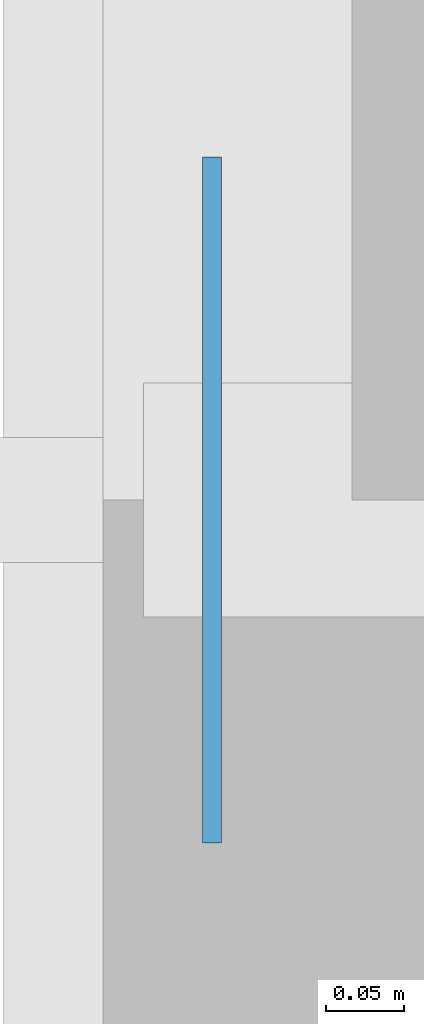
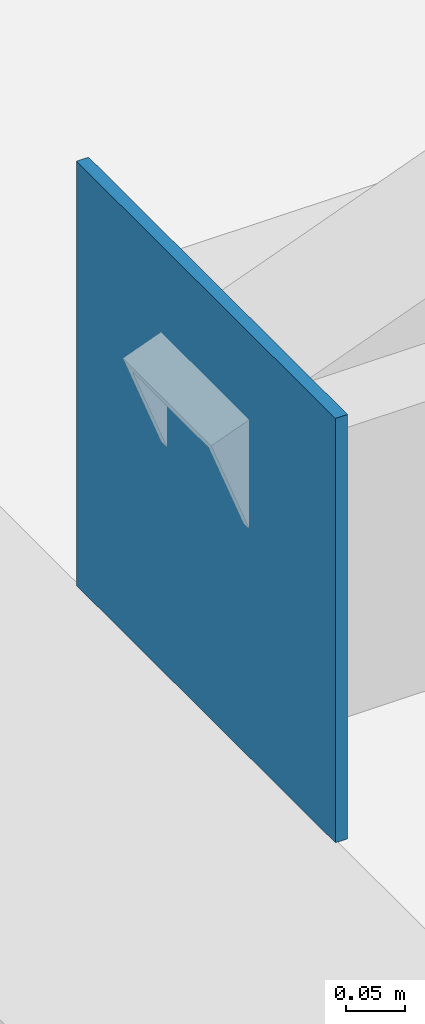
# One storey, part 32 of 52: 1 plate.
"""IFC4 building model written with IfcOpenShell, lengths in metres."""

from ifc_helpers import new_model, si_unit, direction, frame, origin, origin_2d, place, context, subcontext, project, spatial, rectangle, extrude, material, layer, layer_set, type_object, element, save


model = new_model("IFC4")

# Units and contexts
model_context = context("Model", 3, precision=1e-05, world=origin(), true_north=direction((0.0, 1.0)))
body_context = subcontext(model_context, "Body", "Model", "MODEL_VIEW")
ifc_project = project(units=[si_unit("LENGTHUNIT", "METRE"), si_unit("AREAUNIT", "SQUARE_METRE"), si_unit("VOLUMEUNIT", "CUBIC_METRE"), si_unit("PLANEANGLEUNIT", "RADIAN"), si_unit("MASSUNIT", "GRAM", prefix="KILO")], contexts=[model_context])

# Site, building, storey
site_placement = place(None, origin())
site = spatial("IfcSite", under=ifc_project, at=site_placement, CompositionType="ELEMENT")
building_placement = place(site_placement, origin())
building = spatial("IfcBuilding", under=site, at=building_placement, Name="Qelthora Terrace Specialist Clinic", CompositionType="ELEMENT")
storey_placement = place(building_placement, frame((0.0, 0.0, 17.39990234375)))
storey = spatial("IfcBuildingStorey", under=building, at=storey_placement, Name="L04", CompositionType="ELEMENT", Elevation=17.39990234375)

# Plate
ifc_material = material(Name="Steel S355", Category="steel")
ifc_layer = layer(ifc_material, 0.011962890625)
ifc_layer_set = layer_set([ifc_layer], Name="Steel S355")
plate_type = type_object("IfcPlateType", Name="PLT-CAP-360X360X12", PredefinedType="USERDEFINED", material=ifc_layer_set)
plate_placement = place(storey_placement, frame((57.60009765625, 96.0, 3.530029296875), z_axis=(0.0, 0.0, 1.0), x_axis=(1.0, 0.0, 0.0)))
element("IfcPlate", 1, at=plate_placement, inside=storey, type_object=plate_type, Name="Steel truss node plate GPLT-0117", ObjectType="GUSSET PLATE", PredefinedType="USERDEFINED", context=body_context, shape_type="SweptSolid", body=[
    extrude(rectangle(XDim=0.011962890625, YDim=0.43994140625, at=origin_2d()), origin(), (0.0, 0.0, 1.0), 0.43994140625),
])

save(model, "model.ifc")
